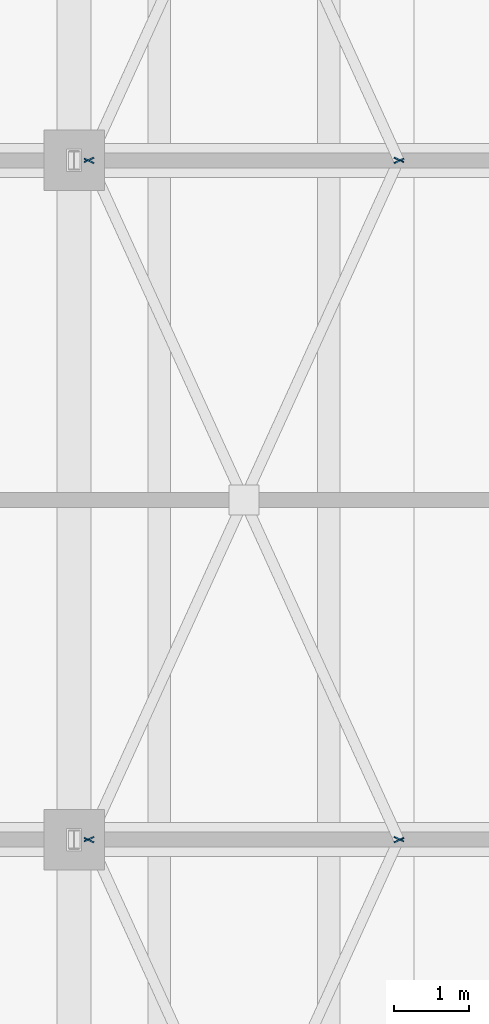
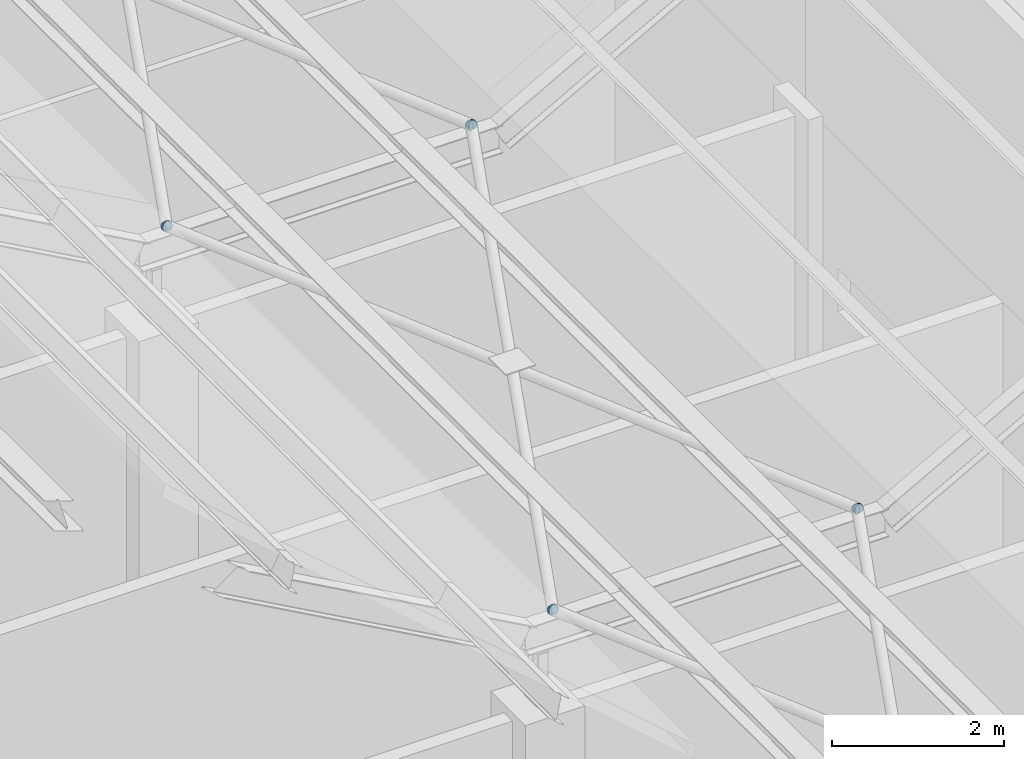
# One storey, part 257 of 437: 8 plates.
"""IFC4 building model written with IfcOpenShell, lengths in metres."""

from ifc_helpers import new_model, si_unit, direction, frame, origin, place, context, subcontext, project, spatial, polyline, outline, extrude, material, layer, layer_set, type_object, element, save


model = new_model("IFC4")

# Units and contexts
model_context = context("Model", 3, precision=1e-05, world=origin(), true_north=direction((0.0, 1.0)))
body_context = subcontext(model_context, "Body", "Model", "MODEL_VIEW")
ifc_project = project(units=[si_unit("LENGTHUNIT", "METRE"), si_unit("AREAUNIT", "SQUARE_METRE"), si_unit("VOLUMEUNIT", "CUBIC_METRE"), si_unit("PLANEANGLEUNIT", "RADIAN"), si_unit("MASSUNIT", "GRAM", prefix="KILO")], contexts=[model_context])

# Site, building, storey
site_placement = place(None, origin())
site = spatial("IfcSite", under=ifc_project, at=site_placement, CompositionType="ELEMENT")
building_placement = place(site_placement, origin())
building = spatial("IfcBuilding", under=site, at=building_placement, Name="Opaline Strait Convention Centre", CompositionType="ELEMENT")
storey_placement = place(building_placement, frame((0.0, 0.0, 11.5)))
storey = spatial("IfcBuildingStorey", under=building, at=storey_placement, Name="L02", CompositionType="ELEMENT", Elevation=11.5)

# Plates
ifc_material = material(Name="Steel Q355B", Category="steel")
ifc_layer = layer(ifc_material, 0.014892578125)
ifc_layer_set = layer_set([ifc_layer], Name="Steel Q355B")
plate_type = type_object("IfcPlateType", Name="Brace end plate 15 Q355B", PredefinedType="SHEET", material=ifc_layer_set)
plate_1_placement = place(storey_placement, frame((76.369873046875, 44.984619140625, 5.8701171875), z_axis=(0.414836562991, 0.909895942406, 0.0), x_axis=(-0.177910529408, 0.08111234384, -0.980698032629)))
element("IfcPlate", 1, at=plate_1_placement, inside=storey, type_object=plate_type, Name="Brace end plate 4-72-1 B", PredefinedType="SHEET", context=body_context, shape_type="SweptSolid", body=[
    extrude(outline(polyline([(0.0, 0.0), (0.027384034490214523, 0.0), (0.05259810373367019, 0.01034279223465002), (0.07188715209514629, 0.02967508543352096), (0.08240902159594816, 0.054979246310342914), (0.08237624613104702, 0.08228448671060286), (0.07195256152583068, 0.1074175665672149), (0.05267641506137637, 0.1268571903509166), (0.027386238814677905, 0.13735920588947814), (0.00024163255508571554, 0.13731146945521194), (-0.025015871876213673, 0.12675082244502134), (-0.04428128786816646, 0.10753706043741668), (-0.054783354550647916, 0.08233222314486904), (-0.05477038190406719, 0.054927659160334784), (-0.04437032966837416, 0.029676048112456443), (-0.025050748016076124, 0.010454279104295326), (0.0, 0.0)])), origin(), (0.0, 0.0, -1.0), 0.014892578125),
])
plate_2_placement = place(storey_placement, frame((72.257568359375, 45.042724609375, 5.8701171875), z_axis=(-0.414836562991, 0.909895942406, 0.0), x_axis=(-0.177910529408, -0.08111234384, -0.980698032629)))
element("IfcPlate", 2, at=plate_2_placement, inside=storey, type_object=plate_type, Name="Brace end plate 4-72-3 B", PredefinedType="SHEET", context=body_context, shape_type="SweptSolid", body=[
    extrude(outline(polyline([(0.0, 0.0), (0.027384034490214523, 0.0), (0.0526415389215139, 0.010560647010190617), (0.0719069549134667, 0.029774409017795267), (0.08240902159594816, 0.054979246310342914), (0.08239604894936743, 0.08238381029487717), (0.07199599671367439, 0.10763542134275551), (0.05267641506137637, 0.1268571903509166), (0.027386238814677905, 0.13735920588947814), (0.00024163255508571554, 0.13731146945521194), (-0.02497243668836996, 0.12696867722056193), (-0.04426148504984605, 0.10763638402169098), (-0.054783354550647916, 0.08233222314486904), (-0.05475057908574677, 0.05502698274460909), (-0.04432689448053045, 0.029893902887997044), (-0.025050748016076124, 0.010454279104295326), (0.0, 0.0)])), origin(), (0.0, 0.0, -1.0), 0.014892578125),
])
plate_3_placement = place(storey_placement, frame((72.263671875, 44.970947265625, 5.8701171875), z_axis=(0.415113120833, 0.909769804353, 0.0), x_axis=(-0.177885602626, 0.081166298666, -0.980698090311)))
element("IfcPlate", 3, at=plate_3_placement, inside=storey, type_object=plate_type, Name="Brace end plate 5-72-1 A", PredefinedType="SHEET", context=body_context, shape_type="SweptSolid", body=[
    extrude(outline(polyline([(0.0, 0.0), (0.027384032879565874, 8.673617379884035e-19), (0.05259810512352661, 0.010342830025946591), (0.07188713763616415, 0.029675078027945424), (0.08240900482074467, 0.0549792678324168), (0.082396029238314, 0.08238385763677121), (0.07195253030535285, 0.10741759014200784), (0.05267637813642449, 0.12685720839116532), (0.02738619718093451, 0.13735920839058052), (0.00024159254607343875, 0.13731147202694682), (-0.02501590880009087, 0.12675081741365854), (-0.044261512210524837, 0.10763639399900138), (-0.054783379395105344, 0.08233220419453002), (-0.054770403812674694, 0.0549276143901756), (-0.044370333981917115, 0.029676057297597293), (-0.02505075271078518, 0.010454263635781492), (0.0, 0.0)])), origin(), (0.0, 0.0, -1.0), 0.014892578125),
])
plate_4_placement = place(storey_placement, frame((76.369873046875, 53.984619140625, 5.8701171875), z_axis=(0.414836562991, 0.909895942406, 0.0), x_axis=(-0.177910529408, 0.08111234384, -0.980698032629)))
element("IfcPlate", 4, at=plate_4_placement, inside=storey, type_object=plate_type, Name="Brace end plate 5-72-1 B", PredefinedType="SHEET", context=body_context, shape_type="SweptSolid", body=[
    extrude(outline(polyline([(0.0, 0.0), (0.027384034490214523, 0.0), (0.05259810373367019, 0.01034279223465002), (0.07188715209514629, 0.02967508543352096), (0.08240902159594816, 0.054979246310342914), (0.08237624613104702, 0.08228448671060286), (0.07195256152583068, 0.1074175665672149), (0.05267641506137637, 0.1268571903509166), (0.027386238814677905, 0.13735920588947814), (0.00024163255508571554, 0.13731146945521194), (-0.025015871876213673, 0.12675082244502134), (-0.04428128786816646, 0.10753706043741668), (-0.054783354550647916, 0.08233222314486904), (-0.05477038190406719, 0.054927659160334784), (-0.04437032966837416, 0.029676048112456443), (-0.025050748016076124, 0.010454279104295326), (0.0, 0.0)])), origin(), (0.0, 0.0, -1.0), 0.014892578125),
])
plate_5_placement = place(storey_placement, frame((76.36376953125, 45.029052734375, 5.8701171875), z_axis=(-0.415113120833, 0.909769804353, 0.0), x_axis=(-0.177885602626, -0.081166298666, -0.980698090311)))
element("IfcPlate", 5, at=plate_5_placement, inside=storey, type_object=plate_type, Name="Brace end plate 5-72-2 A", PredefinedType="SHEET", context=body_context, shape_type="SweptSolid", body=[
    extrude(outline(polyline([(0.0, 0.0), (0.027384032879565874, 8.673617379884035e-19), (0.052641534225730174, 0.010560654613288265), (0.07188713763616415, 0.029675078027945424), (0.08240900482074467, 0.0549792678324168), (0.082396029238314, 0.08238385763677121), (0.07199595940755642, 0.10763541472934952), (0.05267637813642449, 0.12685720839116532), (0.02738619718093451, 0.13735920839058052), (0.00024159254607343875, 0.13731147202694682), (-0.024972479697887306, 0.12696864200100022), (-0.044261512210524837, 0.10763639399900138), (-0.054783379395105344, 0.08233220419453002), (-0.054770403812674694, 0.0549276143901756), (-0.04432690487971355, 0.029893881884938966), (-0.02505075271078518, 0.010454263635781492), (0.0, 0.0)])), origin(), (0.0, 0.0, -1.0), 0.014892578125),
])
plate_6_placement = place(storey_placement, frame((72.257568359375, 54.042724609375, 5.8701171875), z_axis=(-0.414836562991, 0.909895942406, 0.0), x_axis=(-0.177910529408, -0.08111234384, -0.980698032629)))
element("IfcPlate", 6, at=plate_6_placement, inside=storey, type_object=plate_type, Name="Brace end plate 5-72-3 B", PredefinedType="SHEET", context=body_context, shape_type="SweptSolid", body=[
    extrude(outline(polyline([(0.0, 0.0), (0.027384034490214523, 0.0), (0.0526415389215139, 0.010560647010190617), (0.0719069549134667, 0.029774409017795267), (0.08240902159594816, 0.054979246310342914), (0.08239604894936743, 0.08238381029487717), (0.07199599671367439, 0.10763542134275551), (0.05267641506137637, 0.1268571903509166), (0.027386238814677905, 0.13735920588947814), (0.00024163255508571554, 0.13731146945521194), (-0.02497243668836996, 0.12696867722056193), (-0.04426148504984605, 0.10763638402169098), (-0.054783354550647916, 0.08233222314486904), (-0.05475057908574677, 0.05502698274460909), (-0.04432689448053045, 0.029893902887997044), (-0.025050748016076124, 0.010454279104295326), (0.0, 0.0)])), origin(), (0.0, 0.0, -1.0), 0.014892578125),
])
plate_7_placement = place(storey_placement, frame((72.263671875, 53.970947265625, 5.8701171875), z_axis=(0.415113120833, 0.909769804353, 0.0), x_axis=(-0.177885602626, 0.081166298666, -0.980698090311)))
element("IfcPlate", 7, at=plate_7_placement, inside=storey, type_object=plate_type, Name="Brace end plate 6-72-1 A", PredefinedType="SHEET", context=body_context, shape_type="SweptSolid", body=[
    extrude(outline(polyline([(0.0, 0.0), (0.027384032879565874, 8.673617379884035e-19), (0.05259810512352661, 0.010342830025946591), (0.07188713763616415, 0.029675078027945424), (0.08240900482074467, 0.0549792678324168), (0.082396029238314, 0.08238385763677121), (0.07195253030535285, 0.10741759014200784), (0.05267637813642449, 0.12685720839116532), (0.02738619718093451, 0.13735920839058052), (0.00024159254607343875, 0.13731147202694682), (-0.02501590880009087, 0.12675081741365854), (-0.044261512210524837, 0.10763639399900138), (-0.054783379395105344, 0.08233220419453002), (-0.054770403812674694, 0.0549276143901756), (-0.044370333981917115, 0.029676057297597293), (-0.02505075271078518, 0.010454263635781492), (0.0, 0.0)])), origin(), (0.0, 0.0, -1.0), 0.014892578125),
])
plate_8_placement = place(storey_placement, frame((76.36376953125, 54.029052734375, 5.8701171875), z_axis=(-0.415113120833, 0.909769804353, 0.0), x_axis=(-0.177885602626, -0.081166298666, -0.980698090311)))
element("IfcPlate", 8, at=plate_8_placement, inside=storey, type_object=plate_type, Name="Brace end plate 6-72-2 A", PredefinedType="SHEET", context=body_context, shape_type="SweptSolid", body=[
    extrude(outline(polyline([(0.0, 0.0), (0.027384032879565874, 8.673617379884035e-19), (0.052641534225730174, 0.010560654613288265), (0.07188713763616415, 0.029675078027945424), (0.08240900482074467, 0.0549792678324168), (0.082396029238314, 0.08238385763677121), (0.07199595940755642, 0.10763541472934952), (0.05267637813642449, 0.12685720839116532), (0.02738619718093451, 0.13735920839058052), (0.00024159254607343875, 0.13731147202694682), (-0.024972479697887306, 0.12696864200100022), (-0.044261512210524837, 0.10763639399900138), (-0.054783379395105344, 0.08233220419453002), (-0.054770403812674694, 0.0549276143901756), (-0.04432690487971355, 0.029893881884938966), (-0.02505075271078518, 0.010454263635781492), (0.0, 0.0)])), origin(), (0.0, 0.0, -1.0), 0.014892578125),
])

save(model, "model.ifc")
